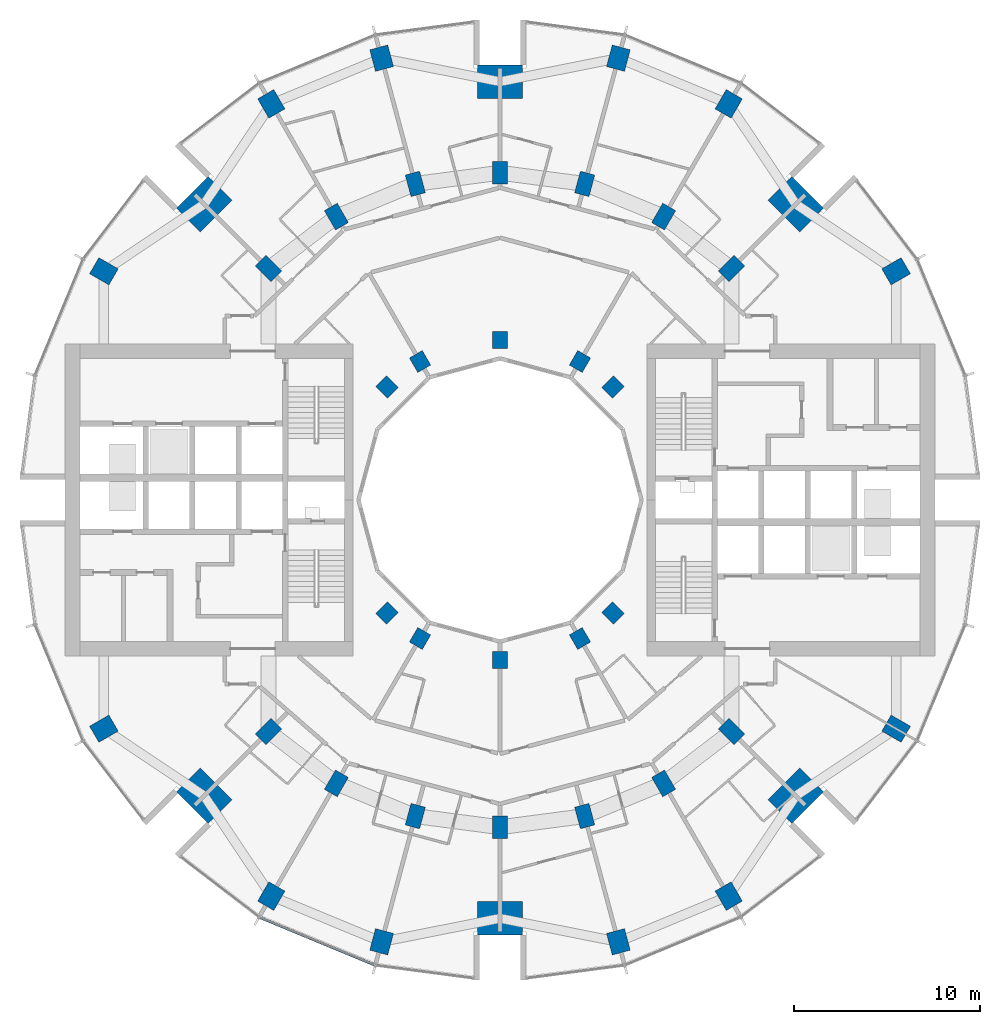
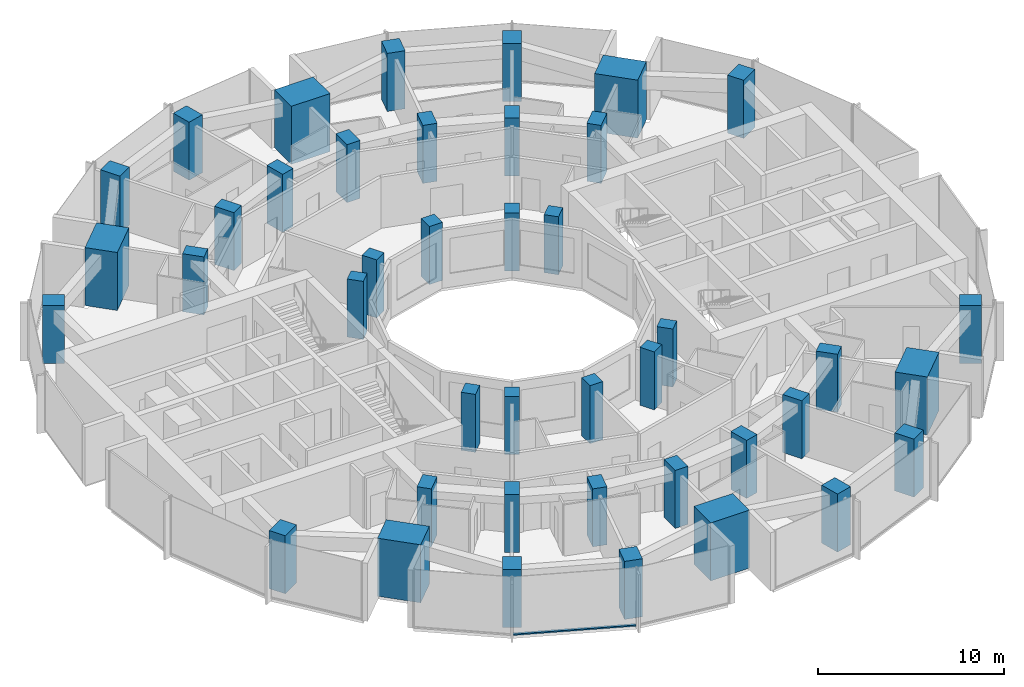
# One storey, part 1 of 15: 42 columns, 1 member, 1 element without a shape of its own.
"""IFC4 building model written with IfcOpenShell, lengths in metres."""

from ifc_helpers import new_model, si_unit, direction, frame, origin, origin_2d, place, context, subcontext, project, spatial, rectangle, extrude, material, layer, layer_set, material_profile, profile_set, type_object, element, aggregate, save


model = new_model("IFC4")

# Units and contexts
model_context = context("Model", 3, precision=1e-05, world=origin(), true_north=direction((0.0, 1.0)))
body_context = subcontext(model_context, "Body", "Model", "MODEL_VIEW")
ifc_project = project(units=[si_unit("LENGTHUNIT", "METRE"), si_unit("AREAUNIT", "SQUARE_METRE"), si_unit("VOLUMEUNIT", "CUBIC_METRE"), si_unit("PLANEANGLEUNIT", "RADIAN"), si_unit("MASSUNIT", "GRAM", prefix="KILO")], contexts=[model_context])

# Site, building, storey
site_placement = place(None, origin())
site = spatial("IfcSite", under=ifc_project, at=site_placement, CompositionType="ELEMENT")
building_placement = place(site_placement, origin())
building = spatial("IfcBuilding", under=site, at=building_placement, Name="Torre Brocal", CompositionType="ELEMENT")
storey_placement = place(building_placement, frame((0.0, 0.0, 40.199951171875)))
storey = spatial("IfcBuildingStorey", under=building, at=storey_placement, Name="L08", CompositionType="ELEMENT", Elevation=40.199951171875)

# Columns
ifc_material_1 = material(Name="Concrete C80", Category="concrete")
ifc_material_profile_1 = material_profile(ifc_material_1, rectangle(XDim=1.199951171875, YDim=1.0, at=origin_2d()), Name="RC 1200X1000")
ifc_profile_set_1 = profile_set([ifc_material_profile_1], Name="Concrete C80")
column_type_1 = type_object("IfcColumnType", Name="RC COLUMN 1200X1000 C80", PredefinedType="COLUMN", material=ifc_profile_set_1)
for number, where, z_axis, x_axis, name in (
    (1, (101.30419921875, 87.300048828125, 0.0), (0.0, 0.0, 1.0), (0.866025403784, 0.5, 0.0), "Column C-O02"),
    (2, (92.300048828125, 96.30419921875, 0.0), (0.0, 0.0, 1.0), (0.5, 0.866025403784, 0.0), "Column C-O04"),
    (3, (86.366943359375, 98.76171875, 0.0), (0.0, 0.0, 1.0), (0.258819045103, 0.965925826289, 0.0), "Column C-O05"),
    (4, (73.633056640625, 98.76171875, 0.0), (0.0, 0.0, 1.0), (-0.258819045103, 0.965925826289, 0.0), "Column C-O07"),
    (5, (67.699951171875, 96.30419921875, 0.0), (0.0, 0.0, 1.0), (-0.5, 0.866025403784, 0.0), "Column C-O08"),
    (6, (58.69580078125, 87.300048828125, 0.0), (0.0, 0.0, 1.0), (-0.866025403784, 0.5, 0.0), "Column C-O10"),
    (7, (58.69580078125, 62.699951171875, 0.0), (0.0, 0.0, 1.0), (-0.866025403784, -0.5, 0.0), "Column C-O14"),
    (8, (67.699951171875, 53.69580078125, 0.0), (0.0, 0.0, 1.0), (-0.5, -0.866025403784, 0.0), "Column C-O16"),
    (9, (73.633056640625, 51.23828125, 0.0), (0.0, 0.0, 1.0), (-0.258819045103, -0.965925826289, 0.0), "Column C-O17"),
    (10, (86.366943359375, 51.23828125, 0.0), (0.0, 0.0, 1.0), (0.258819045103, -0.965925826289, 0.0), "Column C-O19"),
    (11, (92.300048828125, 53.69580078125, 0.0), (0.0, 0.0, 1.0), (0.5, -0.866025403784, 0.0), "Column C-O20"),
    (12, (101.30419921875, 62.699951171875, 0.0), (0.0, 0.0, 1.0), (0.866025403784, -0.5, 0.0), "Column C-O22"),
):
    element("IfcColumn", number, at=place(storey_placement, frame(where, z_axis=z_axis, x_axis=x_axis)), inside=storey, type_object=column_type_1, Name=name, PredefinedType="COLUMN", context=body_context, shape_type="SweptSolid", body=[
        extrude(rectangle(XDim=1.199951171875, YDim=1.0, at=origin_2d()), origin(), (0.0, 0.0, 1.0), 3.800048828125),
    ])
ifc_material_2 = material(Name="Concrete C80", Category="concrete")
ifc_material_profile_2 = material_profile(ifc_material_2, rectangle(XDim=1.199951171875, YDim=0.800048828125, at=origin_2d()), Name="RC 1200X800")
ifc_profile_set_2 = profile_set([ifc_material_profile_2], Name="Concrete C80")
column_type_2 = type_object("IfcColumnType", Name="RC COLUMN 1200X800 C80", PredefinedType="COLUMN", material=ifc_profile_set_2)
for number, where, z_axis, x_axis, name in (
    (13, (92.445068359375, 87.445068359375, 0.0), (0.0, 0.0, 1.0), (0.707106781187, 0.707106781187, 0.0), "Column C-M03"),
    (14, (88.800048828125, 90.241943359375, 0.0), (0.0, 0.0, 1.0), (0.5, 0.866025403784, 0.0), "Column C-M04"),
    (15, (84.55517578125, 92.000244140625, 0.0), (0.0, 0.0, 1.0), (0.258819045103, 0.965925826289, 0.0), "Column C-M05"),
    (16, (80.0, 92.60009765625, 0.0), (0.0, 0.0, 1.0), (0.0, 1.0, 0.0), "Column C-M06"),
    (17, (75.44482421875, 92.000244140625, 0.0), (0.0, 0.0, 1.0), (-0.258819045103, 0.965925826289, 0.0), "Column C-M07"),
    (18, (71.199951171875, 90.241943359375, 0.0), (0.0, 0.0, 1.0), (-0.5, 0.866025403784, 0.0), "Column C-M08"),
    (19, (67.554931640625, 87.445068359375, 0.0), (0.0, 0.0, 1.0), (-0.707106781187, 0.707106781187, 0.0), "Column C-M09"),
    (20, (67.554931640625, 62.554931640625, 0.0), (0.0, 0.0, 1.0), (-0.707106781187, -0.707106781187, 0.0), "Column C-M15"),
    (21, (71.199951171875, 59.758056640625, 0.0), (0.0, 0.0, 1.0), (-0.5, -0.866025403784, 0.0), "Column C-M16"),
    (22, (75.44482421875, 57.999755859375, 0.0), (0.0, 0.0, 1.0), (-0.258819045103, -0.965925826289, 0.0), "Column C-M17"),
    (23, (80.0, 57.39990234375, 0.0), (0.0, 0.0, 1.0), (0.0, -1.0, 0.0), "Column C-M18"),
    (24, (84.55517578125, 57.999755859375, 0.0), (0.0, 0.0, 1.0), (0.258819045103, -0.965925826289, 0.0), "Column C-M19"),
    (25, (88.800048828125, 59.758056640625, 0.0), (0.0, 0.0, 1.0), (0.5, -0.866025403784, 0.0), "Column C-M20"),
    (26, (92.445068359375, 62.554931640625, 0.0), (0.0, 0.0, 1.0), (0.707106781187, -0.707106781187, 0.0), "Column C-M21"),
):
    element("IfcColumn", number, at=place(storey_placement, frame(where, z_axis=z_axis, x_axis=x_axis)), inside=storey, type_object=column_type_2, Name=name, PredefinedType="COLUMN", context=body_context, shape_type="SweptSolid", body=[
        extrude(rectangle(XDim=1.199951171875, YDim=0.800048828125, at=origin_2d()), origin(), (0.0, 0.0, 1.0), 3.800048828125),
    ])
ifc_material_3 = material(Name="Concrete C80", Category="concrete")
ifc_material_profile_3 = material_profile(ifc_material_3, rectangle(XDim=1.800048828125, YDim=2.39990234375, at=origin_2d()), Name="RC 1800X2400")
ifc_profile_set_3 = profile_set([ifc_material_profile_3], Name="Concrete C80")
column_type_3 = type_object("IfcColumnType", Name="RC COLUMN 1800X2400 C80", PredefinedType="COLUMN", material=ifc_profile_set_3)
for number, where, z_axis, x_axis, name in (
    (27, (95.909912109375, 90.909912109375, 0.0), (0.0, 0.0, 1.0), (0.707106781187, 0.707106781187, 0.0), "Column MC-1"),
    (28, (80.0, 97.5, 0.0), (0.0, 0.0, 1.0), (0.0, 1.0, 0.0), "Column MC-2"),
    (29, (64.090087890625, 90.909912109375, 0.0), (0.0, 0.0, 1.0), (-0.707106781187, 0.707106781187, 0.0), "Column MC-3"),
    (30, (64.090087890625, 59.090087890625, 0.0), (0.0, 0.0, 1.0), (-0.707106781187, -0.707106781187, 0.0), "Column MC-5"),
    (31, (80.0, 52.5, 0.0), (0.0, 0.0, 1.0), (0.0, -1.0, 0.0), "Column MC-6"),
    (32, (95.909912109375, 59.090087890625, 0.0), (0.0, 0.0, 1.0), (0.707106781187, -0.707106781187, 0.0), "Column MC-7"),
):
    element("IfcColumn", number, at=place(storey_placement, frame(where, z_axis=z_axis, x_axis=x_axis)), inside=storey, type_object=column_type_3, Name=name, PredefinedType="COLUMN", context=body_context, shape_type="SweptSolid", body=[
        extrude(rectangle(XDim=1.800048828125, YDim=2.39990234375, at=origin_2d()), origin(), (0.0, 0.0, 1.0), 3.800048828125),
    ])
ifc_material_4 = material(Name="Concrete C80", Category="concrete")
ifc_material_profile_4 = material_profile(ifc_material_4, rectangle(XDim=0.89990234375, YDim=0.800048828125, at=origin_2d()), Name="RC 900X800")
ifc_profile_set_4 = profile_set([ifc_material_profile_4], Name="Concrete C80")
column_type_4 = type_object("IfcColumnType", Name="RC COLUMN 900X800 C80", PredefinedType="COLUMN", material=ifc_profile_set_4)
for number, where, z_axis, x_axis, name in (
    (33, (86.0810546875, 81.0810546875, 0.0), (0.0, 0.0, 1.0), (0.707106781187, 0.707106781187, 0.0), "Column C-I03"),
    (34, (84.300048828125, 82.44775390625, 0.0), (0.0, 0.0, 1.0), (0.5, 0.866025403784, 0.0), "Column C-I04"),
    (35, (80.0, 83.60009765625, 0.0), (0.0, 0.0, 1.0), (0.0, 1.0, 0.0), "Column C-I06"),
    (36, (75.699951171875, 82.44775390625, 0.0), (0.0, 0.0, 1.0), (-0.5, 0.866025403784, 0.0), "Column C-I08"),
    (37, (73.9189453125, 81.0810546875, 0.0), (0.0, 0.0, 1.0), (-0.707106781187, 0.707106781187, 0.0), "Column C-I09"),
    (38, (73.9189453125, 68.9189453125, 0.0), (0.0, 0.0, 1.0), (-0.707106781187, -0.707106781187, 0.0), "Column C-I15"),
    (39, (75.699951171875, 67.55224609375, 0.0), (0.0, 0.0, 1.0), (-0.5, -0.866025403784, 0.0), "Column C-I16"),
    (40, (80.0, 66.39990234375, 0.0), (0.0, 0.0, 1.0), (0.0, -1.0, 0.0), "Column C-I18"),
    (41, (84.300048828125, 67.55224609375, 0.0), (0.0, 0.0, 1.0), (0.5, -0.866025403784, 0.0), "Column C-I20"),
    (42, (86.0810546875, 68.9189453125, 0.0), (0.0, 0.0, 1.0), (0.707106781187, -0.707106781187, 0.0), "Column C-I21"),
):
    element("IfcColumn", number, at=place(storey_placement, frame(where, z_axis=z_axis, x_axis=x_axis)), inside=storey, type_object=column_type_4, Name=name, PredefinedType="COLUMN", context=body_context, shape_type="SweptSolid", body=[
        extrude(rectangle(XDim=0.89990234375, YDim=0.800048828125, at=origin_2d()), origin(), (0.0, 0.0, 1.0), 3.800048828125),
    ])

# Curtain wall, member
ifc_material_5 = material(Name="Aluminium and glass", Category="aluminium")
ifc_layer = layer(ifc_material_5, 0.199951171875)
ifc_layer_set = layer_set([ifc_layer], Name="Aluminium and glass")
curtain_wall_type = type_object("IfcCurtainWallType", Name="CW-1 CURTAIN WALL 3800 HIGH", PredefinedType="NOTDEFINED", material=ifc_layer_set)
curtain_wall_placement = place(storey_placement, origin())
curtain_wall = element("IfcCurtainWall", 43, at=curtain_wall_placement, inside=storey, type_object=curtain_wall_type, Name="CW-1 RUN 17", PredefinedType="NOTDEFINED")
ifc_material_6 = material(Name="Aluminium, dark anodised", Category="aluminium")
ifc_material_profile_5 = material_profile(ifc_material_6, rectangle(XDim=0.159912109375, YDim=0.080078125, at=origin_2d()), Name="CW-1 TRANSOM 160X80")
ifc_profile_set_5 = profile_set([ifc_material_profile_5], Name="Aluminium, dark anodised")
member_type = type_object("IfcMemberType", Name="CW-1 TRANSOM 160X80", PredefinedType="USERDEFINED", material=ifc_profile_set_5)
member_placement = place(storey_placement, frame((67.10595703125, 52.547607421875, 0.0400390625), z_axis=(0.923887344364, -0.38266457234, 0.0), x_axis=(0.38266457234, 0.923887344364, 0.0)))
member = element("IfcMember", 44, at=member_placement, type_object=member_type, Name="CW1-1 transom 1.1", ObjectType="TRANSOM", PredefinedType="USERDEFINED", context=body_context, shape_type="SweptSolid", body=[
    extrude(rectangle(XDim=0.159912109375, YDim=0.080078125, at=origin_2d()), origin(), (0.0, 0.0, 1.0), 6.640869140625),
])
aggregate(curtain_wall, [member])

save(model, "model.ifc")
